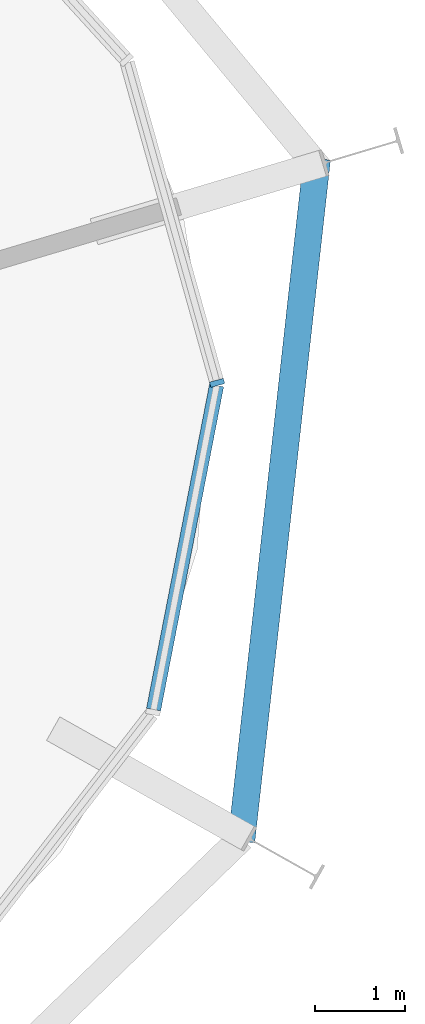
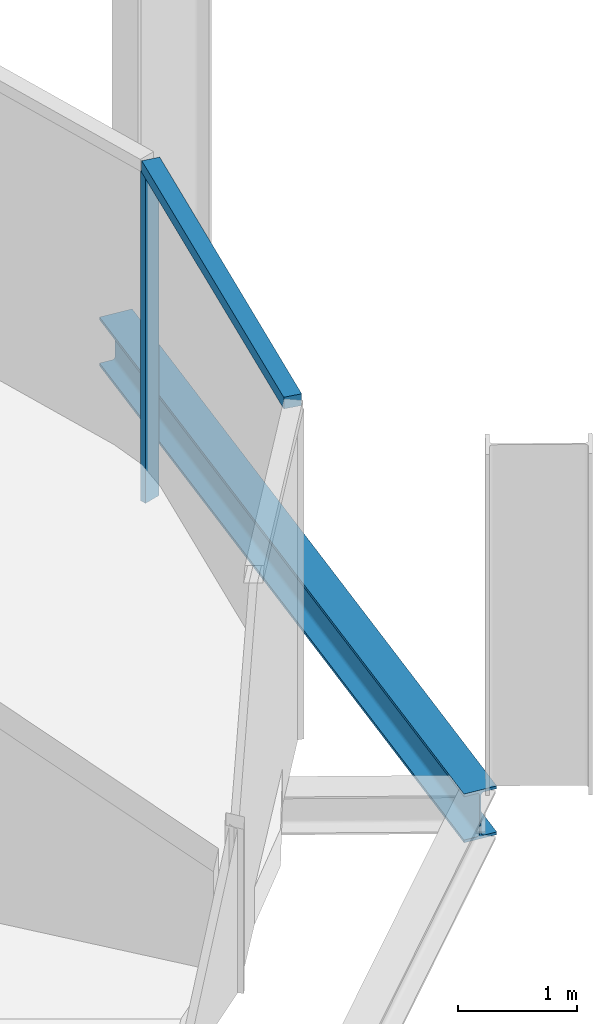
# One storey, part 5 of 17: 2 members, 1 beam, 1 element without a shape of its own.
"""IFC4 building model written with IfcOpenShell, lengths in metres."""

from ifc_helpers import new_model, si_unit, direction, frame, origin, origin_2d, place, context, subcontext, project, spatial, rectangle, i_section, extrude, material, layer, layer_set, material_profile, profile_set, type_object, element, aggregate, save


model = new_model("IFC4")

# Units and contexts
model_context = context("Model", 3, precision=1e-05, world=origin(), true_north=direction((0.0, 1.0)))
body_context = subcontext(model_context, "Body", "Model", "MODEL_VIEW")
ifc_project = project(units=[si_unit("LENGTHUNIT", "METRE"), si_unit("AREAUNIT", "SQUARE_METRE"), si_unit("VOLUMEUNIT", "CUBIC_METRE"), si_unit("PLANEANGLEUNIT", "RADIAN"), si_unit("MASSUNIT", "GRAM", prefix="KILO")], contexts=[model_context])

# Site, building, storey
site_placement = place(None, origin())
site = spatial("IfcSite", under=ifc_project, at=site_placement, CompositionType="ELEMENT")
building_placement = place(site_placement, origin())
building = spatial("IfcBuilding", under=site, at=building_placement, Name="Spindle Arch Residences", CompositionType="ELEMENT")
storey_placement = place(building_placement, frame((0.0, 0.0, 266.89990234375)))
storey = spatial("IfcBuildingStorey", under=building, at=storey_placement, Name="L68", CompositionType="ELEMENT", Elevation=266.89990234375)

# Curtain wall, members
ifc_material_1 = material(Name="Aluminium bronze unitised frame with tinted glass", Category="aluminium")
ifc_layer = layer(ifc_material_1, 0.159912109375)
ifc_layer_set = layer_set([ifc_layer], Name="CW-D corner wall on the fillet arcs")
curtain_wall_type = type_object("IfcCurtainWallType", Name="CW-D corner wall on the fillet arcs", PredefinedType="NOTDEFINED", material=ifc_layer_set)
curtain_wall_placement = place(storey_placement, origin())
curtain_wall = element("IfcCurtainWall", 1, at=curtain_wall_placement, inside=storey, type_object=curtain_wall_type, Name="CW-D L68 run 1", PredefinedType="NOTDEFINED")
ifc_material_2 = material(Name="Aluminium bronze anodised mullion", Category="aluminium")
ifc_material_profile_1 = material_profile(ifc_material_2, rectangle(XDim=0.159912109375, YDim=0.06005859375, at=origin_2d()), Name="MU 60x160")
ifc_profile_set_1 = profile_set([ifc_material_profile_1], Name="Aluminium bronze anodised mullion")
member_type_1 = type_object("IfcMemberType", Name="Bronze mullion 60x160", PredefinedType="MULLION", material=ifc_profile_set_1)
member_1_placement = place(storey_placement, frame((26.832763671875, 3.300048828125, -0.3798828125), z_axis=(0.0, 0.0, 1.0), x_axis=(-0.962849012696, -0.270040328007, 0.0)))
member_1 = element("IfcMember", 2, at=member_1_placement, type_object=member_type_1, Name="CW-D mullion 03", PredefinedType="MULLION", context=body_context, shape_type="SweptSolid", body=[
    extrude(rectangle(XDim=0.159912109375, YDim=0.06005859375, at=origin_2d()), origin(), (0.0, 0.0, 1.0), 3.3798828125),
])
ifc_material_3 = material(Name="Aluminium bronze anodised transom", Category="aluminium")
ifc_material_profile_2 = material_profile(ifc_material_3, rectangle(XDim=0.159912109375, YDim=0.1201171875, at=origin_2d()), Name="TR 120x160")
ifc_profile_set_2 = profile_set([ifc_material_profile_2], Name="Aluminium bronze anodised transom")
member_type_2 = type_object("IfcMemberType", Name="Bronze transom 120x160", PredefinedType="USERDEFINED", material=ifc_profile_set_2)
member_2_placement = place(storey_placement, frame((26.127197265625, -0.32861328125, 3.06005859375), z_axis=(0.190825105639, 0.981624051793, 0.0), x_axis=(-0.981624051793, 0.190825105639, 0.0)))
member_2 = element("IfcMember", 3, at=member_2_placement, type_object=member_type_2, Name="CW-D transom 02", ObjectType="TRANSOM", PredefinedType="USERDEFINED", context=body_context, shape_type="SweptSolid", body=[
    extrude(rectangle(XDim=0.159912109375, YDim=0.1201171875, at=origin_2d()), origin(), (0.0, 0.0, 1.0), 3.666748046875),
])
aggregate(curtain_wall, [member_2, member_1])

# Beam
ifc_material_4 = material(Name="Steel S460ML, intumescent coating R 120", Category="steel")
ifc_material_profile_3 = material_profile(ifc_material_4, i_section(OverallWidth=0.300048828125, OverallDepth=0.5, WebThickness=0.014404296875, FlangeThickness=0.028076171875, FilletRadius=0.027099609375, at=origin_2d()), Name="HEB 500")
ifc_profile_set_3 = profile_set([ifc_material_profile_3], Name="Steel S460ML, intumescent coating R 120")
beam_type = type_object("IfcBeamType", Name="Exoskeleton edge beam HEB 500", PredefinedType="BEAM", material=ifc_profile_set_3)
beam_placement = place(storey_placement, frame((27.102294921875, -1.793701171875, -0.6298828125), z_axis=(0.110238412097, 0.99390517279, 0.0), x_axis=(-0.99390517279, 0.110238412097, 0.0)))
element("IfcBeam", 4, at=beam_placement, inside=storey, type_object=beam_type, Name="Exoskeleton edge beam 3", PredefinedType="BEAM", context=body_context, shape_type="SweptSolid", body=[
    extrude(i_section(OverallWidth=0.300048828125, OverallDepth=0.5, WebThickness=0.014404296875, FlangeThickness=0.028076171875, FilletRadius=0.027099609375, at=origin_2d()), origin(), (0.0, 0.0, 1.0), 7.6318359375),
])

save(model, "model.ifc")
